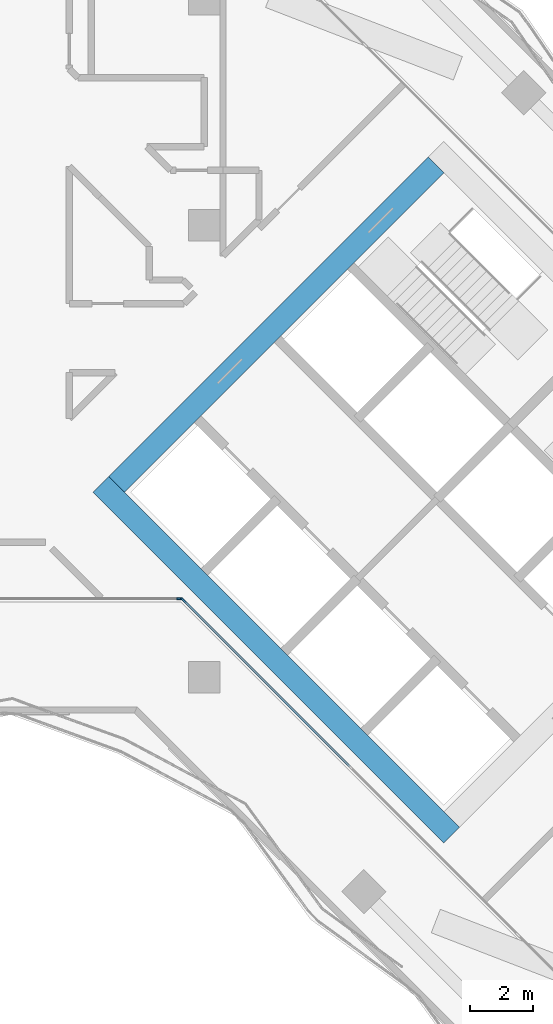
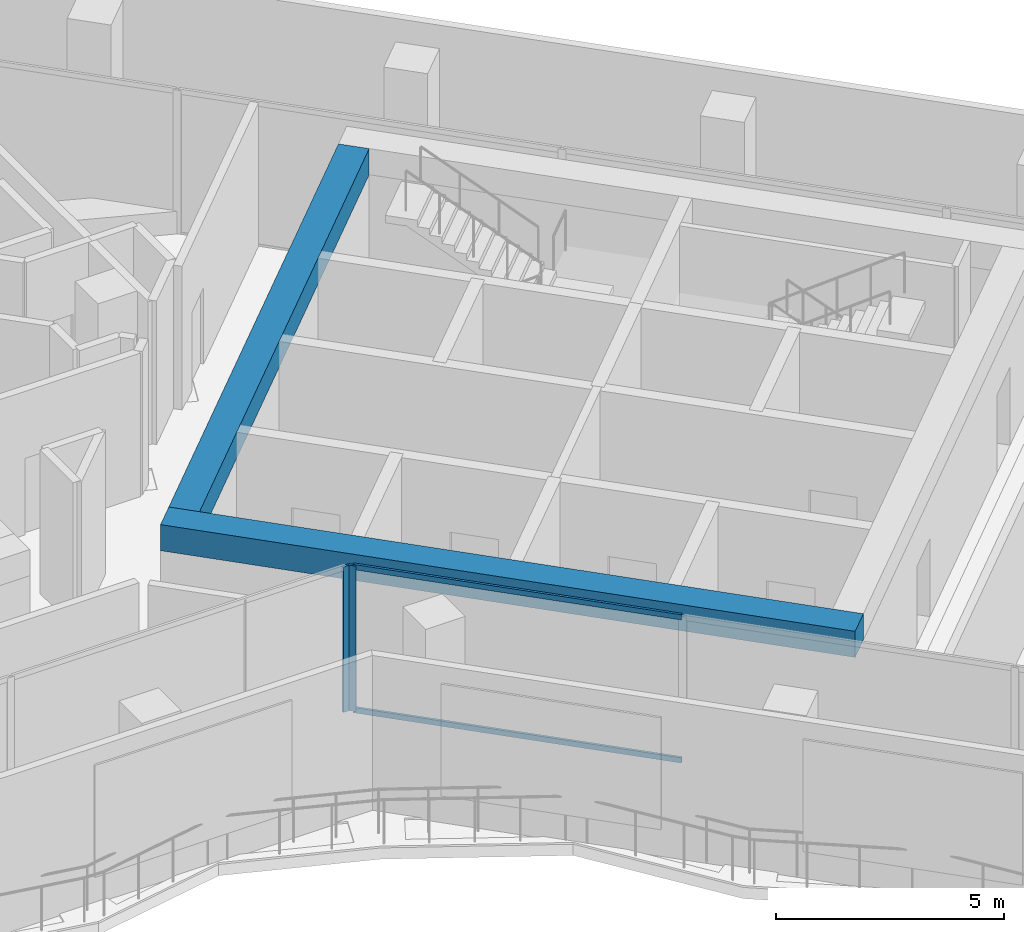
# One storey, part 3 of 23: 4 members, 2 beams, 2 elements without a shape of their own.
"""IFC4 building model written with IfcOpenShell, lengths in metres."""

from ifc_helpers import new_model, si_unit, direction, frame, origin, origin_2d, place, context, subcontext, project, spatial, rectangle, extrude, material, material_profile, profile_set, type_object, element, aggregate, save


model = new_model("IFC4")

# Units and contexts
model_context = context("Model", 3, precision=1e-05, world=origin(), true_north=direction((0.0, 1.0)))
body_context = subcontext(model_context, "Body", "Model", "MODEL_VIEW")
ifc_project = project(units=[si_unit("LENGTHUNIT", "METRE"), si_unit("AREAUNIT", "SQUARE_METRE"), si_unit("VOLUMEUNIT", "CUBIC_METRE"), si_unit("PLANEANGLEUNIT", "RADIAN"), si_unit("MASSUNIT", "GRAM", prefix="KILO")], contexts=[model_context])

# Site, building, storey
site_placement = place(None, origin())
site = spatial("IfcSite", under=ifc_project, at=site_placement, CompositionType="ELEMENT")
building_placement = place(site_placement, origin())
building = spatial("IfcBuilding", under=site, at=building_placement, Name="Windrow Commons", CompositionType="ELEMENT")
storey_placement = place(building_placement, frame((0.0, 0.0, 122.0)))
storey = spatial("IfcBuildingStorey", under=building, at=storey_placement, Name="L33", CompositionType="ELEMENT", Elevation=122.0)

# Curtain wall, member
ifc_material_1 = material(Name="Clear laminated glass in Aluminium 6063-T6 anodised frame", Category="aluminium")
curtain_wall_type = type_object("IfcCurtainWallType", Name="Curtain wall CW2M sky lounge mid", PredefinedType="USERDEFINED", material=ifc_material_1)
placement = place(storey_placement, origin())
curtain_wall_1 = element("IfcCurtainWall", 1, at=placement, inside=storey, type_object=curtain_wall_type, Name="Curtain wall CW2M L33 12", ObjectType="UNITISED", PredefinedType="USERDEFINED")
ifc_material_2 = material(Name="Aluminium 6063-T6", Category="aluminium")
ifc_material_profile_1 = material_profile(ifc_material_2, rectangle(XDim=0.06, YDim=0.18, at=origin_2d()))
ifc_profile_set_1 = profile_set([ifc_material_profile_1], Name="Aluminium 6063-T6")
member_type_1 = type_object("IfcMemberType", Name="CW2M mullion 60x180", PredefinedType="MULLION", material=ifc_profile_set_1)
member_1_placement = place(storey_placement, frame((78.4171, 45.7, 0.0), z_axis=(0.0, 0.0, 1.0), x_axis=(0.0, 1.0, 0.0)))
member_1 = element("IfcMember", 2, at=member_1_placement, type_object=member_type_1, Name="CW2M mullion 4", PredefinedType="MULLION", context=body_context, shape_type="SweptSolid", body=[
    extrude(rectangle(XDim=0.06, YDim=0.18, at=origin_2d()), origin(), (0.0, 0.0, 1.0), 3.9),
])
aggregate(curtain_wall_1, [member_1])

# Curtain wall, members
curtain_wall_2 = element("IfcCurtainWall", 3, at=placement, inside=storey, type_object=curtain_wall_type, Name="Curtain wall CW2M L33 13", ObjectType="UNITISED", PredefinedType="USERDEFINED")
member_2_placement = place(storey_placement, frame((78.539, 45.6495, 0.0), z_axis=(0.0, 0.0, 1.0), x_axis=(0.7071067812, 0.7071067812, 0.0)))
member_2 = element("IfcMember", 4, at=member_2_placement, type_object=member_type_1, Name="CW2M mullion 1", PredefinedType="MULLION", context=body_context, shape_type="SweptSolid", body=[
    extrude(rectangle(XDim=0.06, YDim=0.18, at=origin_2d()), origin(), (0.0, 0.0, 1.0), 3.9),
])
ifc_material_3 = material(Name="Aluminium 6063-T6", Category="aluminium")
ifc_material_profile_2 = material_profile(ifc_material_3, rectangle(XDim=0.06, YDim=0.14, at=origin_2d()))
ifc_profile_set_2 = profile_set([ifc_material_profile_2], Name="Aluminium 6063-T6")
member_type_2 = type_object("IfcMemberType", Name="CW2M transom 60x140", PredefinedType="USERDEFINED", material=ifc_profile_set_2)
member_3_placement = place(storey_placement, frame((78.5602, 45.6283, 0.03), z_axis=(0.7071067812, -0.7071067812, 0.0), x_axis=(0.7071067812, 0.7071067812, 0.0)))
member_3 = element("IfcMember", 5, at=member_3_placement, type_object=member_type_2, Name="CW2M transom 1.1", ObjectType="TRANSOM", PredefinedType="USERDEFINED", context=body_context, shape_type="SweptSolid", body=[
    extrude(rectangle(XDim=0.06, YDim=0.14, at=origin_2d()), origin(), (0.0, 0.0, 1.0), 7.4649),
])
member_4_placement = place(storey_placement, frame((78.5602, 45.6283, 3.87), z_axis=(0.7071067812, -0.7071067812, 0.0), x_axis=(0.7071067812, 0.7071067812, 0.0)))
member_4 = element("IfcMember", 6, at=member_4_placement, type_object=member_type_2, Name="CW2M transom 1.2", ObjectType="TRANSOM", PredefinedType="USERDEFINED", context=body_context, shape_type="SweptSolid", body=[
    extrude(rectangle(XDim=0.06, YDim=0.14, at=origin_2d()), origin(), (0.0, 0.0, 1.0), 7.4649),
])
aggregate(curtain_wall_2, [member_2, member_3, member_4])

# Beams
ifc_material_4 = material(Name="Concrete C50/60", Category="concrete")
ifc_material_profile_3 = material_profile(ifc_material_4, rectangle(XDim=0.7, YDim=0.7, at=origin_2d()))
ifc_profile_set_3 = profile_set([ifc_material_profile_3], Name="Concrete C50/60")
beam_type = type_object("IfcBeamType", Name="RC COUPLING BEAM 700x700 C50/60", PredefinedType="LINTEL", material=ifc_profile_set_3)
beam_1_placement = place(storey_placement, frame((75.912, 49.3372, 3.55), z_axis=(0.7071036166, -0.7071099457, 0.0), x_axis=(0.7071099457, 0.7071036166, 0.0)))
element("IfcBeam", 7, at=beam_1_placement, inside=storey, type_object=beam_type, Name="Core B coupling beam outer-S", PredefinedType="LINTEL", context=body_context, shape_type="SweptSolid", body=[
    extrude(rectangle(XDim=0.7, YDim=0.7, at=origin_2d()), origin(), (0.0, 0.0, 1.0), 15.7999),
])
beam_2_placement = place(storey_placement, frame((76.4069, 49.3372, 3.55), z_axis=(0.7071067812, 0.7071067812, 0.0), x_axis=(-0.7071067812, 0.7071067812, 0.0)))
element("IfcBeam", 8, at=beam_2_placement, inside=storey, type_object=beam_type, Name="Core B coupling beam outer-W", PredefinedType="LINTEL", context=body_context, shape_type="SweptSolid", body=[
    extrude(rectangle(XDim=0.7, YDim=0.7, at=origin_2d()), origin(), (0.0, 0.0, 1.0), 14.4001),
])

save(model, "model.ifc")
